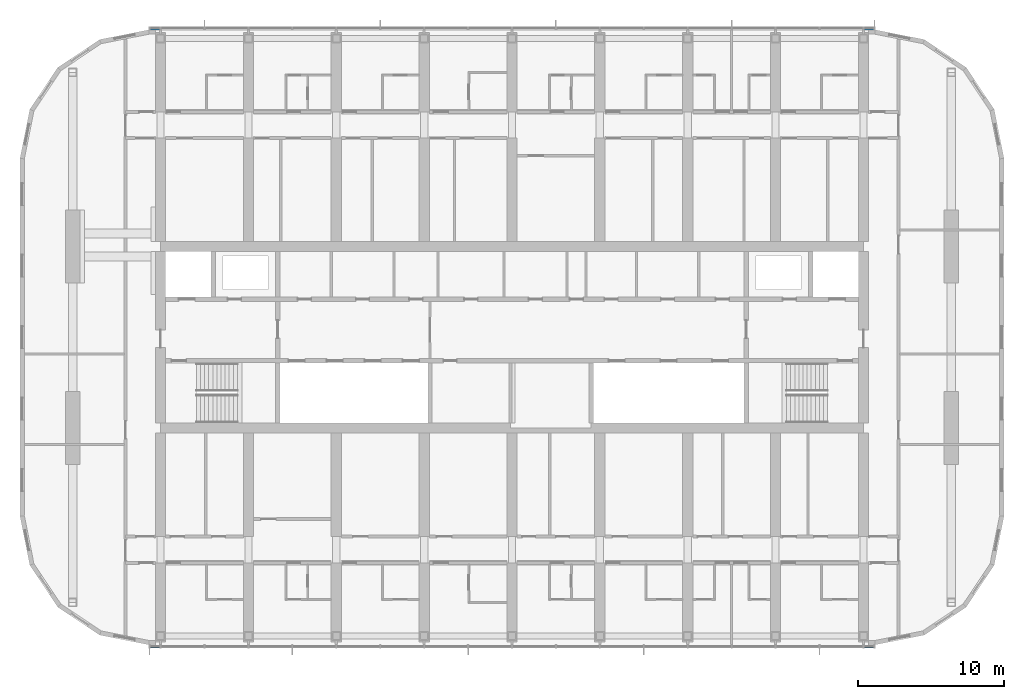
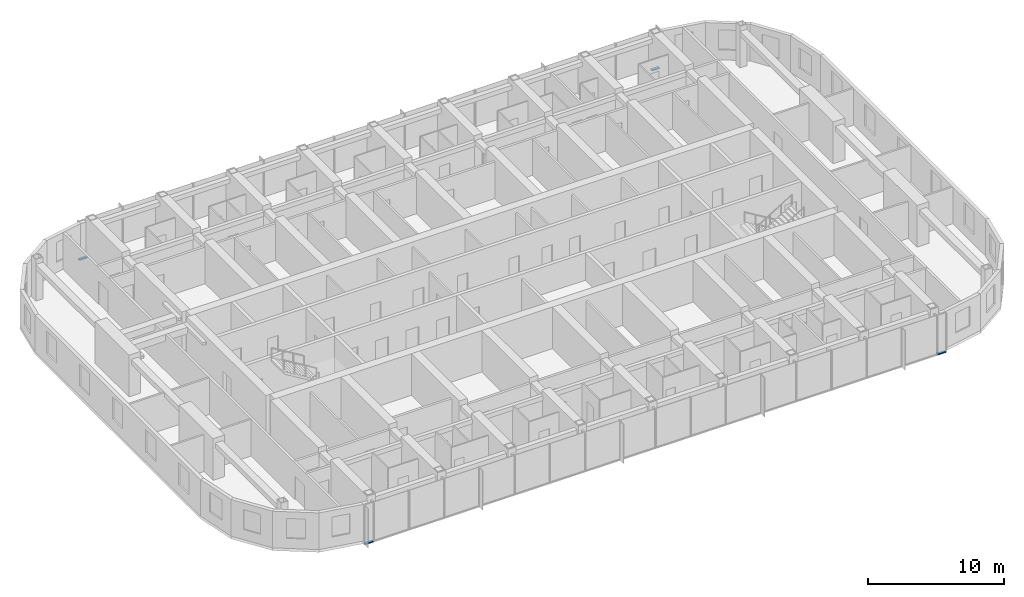
# One storey, part 6 of 23: 4 members, 2 elements without a shape of their own.
"""IFC4 building model written with IfcOpenShell, lengths in metres."""

from ifc_helpers import new_model, si_unit, direction, frame, origin, origin_2d, place, context, subcontext, project, spatial, rectangle, extrude, material, material_profile, profile_set, type_object, element, aggregate, save


model = new_model("IFC4")

# Units and contexts
model_context = context("Model", 3, precision=1e-05, world=origin(), true_north=direction((0.0, 1.0)))
body_context = subcontext(model_context, "Body", "Model", "MODEL_VIEW")
ifc_project = project(units=[si_unit("LENGTHUNIT", "METRE"), si_unit("AREAUNIT", "SQUARE_METRE"), si_unit("VOLUMEUNIT", "CUBIC_METRE"), si_unit("PLANEANGLEUNIT", "RADIAN"), si_unit("MASSUNIT", "GRAM", prefix="KILO")], contexts=[model_context])

# Site, building, storey
site_placement = place(None, origin())
site = spatial("IfcSite", under=ifc_project, at=site_placement, CompositionType="ELEMENT")
building_placement = place(site_placement, origin())
building = spatial("IfcBuilding", under=site, at=building_placement, Name="Orbita Commons", CompositionType="ELEMENT")
storey_placement = place(building_placement, frame((0.0, 0.0, 212.800048828125)))
storey = spatial("IfcBuildingStorey", under=building, at=storey_placement, Name="L52", CompositionType="ELEMENT", Elevation=212.800048828125)

# Curtain wall, members
ifc_material_1 = material(Name="Anodised aluminium frame, pale silver", Category="aluminium")
curtain_wall_type = type_object("IfcCurtainWallType", Name="Unitised curtain wall CW-U, full-height vision", PredefinedType="NOTDEFINED", material=ifc_material_1)
curtain_wall_1_placement = place(storey_placement, origin())
curtain_wall_1 = element("IfcCurtainWall", 1, at=curtain_wall_1_placement, inside=storey, type_object=curtain_wall_type, Name="Curtain wall south L52", PredefinedType="NOTDEFINED")
ifc_material_2 = material(Name="Anodised aluminium, pale silver", Category="aluminium")
ifc_material_profile = material_profile(ifc_material_2, rectangle(XDim=0.219970703125, YDim=0.10009765625, at=origin_2d()), Name="AL 220x100")
ifc_profile_set = profile_set([ifc_material_profile], Name="Anodised aluminium, pale silver")
member_type = type_object("IfcMemberType", Name="Curtain wall stack transom 220x100", PredefinedType="USERDEFINED", material=ifc_profile_set)
member_1_placement = place(storey_placement, frame((17.280029296875, 10.889892578125, -0.199951171875), z_axis=(1.0, 0.0, 0.0), x_axis=(0.0, 1.0, 0.0)))
member_1 = element("IfcMember", 2, at=member_1_placement, type_object=member_type, Name="Transom 1.1 CW-L52-S", ObjectType="TRANSOM", PredefinedType="USERDEFINED", context=body_context, shape_type="SweptSolid", body=[
    extrude(rectangle(XDim=0.219970703125, YDim=0.10009765625, at=origin_2d()), origin(), (0.0, 0.0, 1.0), 0.679931640625),
])
member_2_placement = place(storey_placement, frame((66.0400390625, 10.889892578125, -0.199951171875), z_axis=(1.0, 0.0, 0.0), x_axis=(0.0, 1.0, 0.0)))
member_2 = element("IfcMember", 3, at=member_2_placement, type_object=member_type, Name="Transom 18.1 CW-L52-S", ObjectType="TRANSOM", PredefinedType="USERDEFINED", context=body_context, shape_type="SweptSolid", body=[
    extrude(rectangle(XDim=0.219970703125, YDim=0.10009765625, at=origin_2d()), origin(), (0.0, 0.0, 1.0), 0.679931640625),
])
aggregate(curtain_wall_1, [member_1, member_2])

curtain_wall_2_placement = place(storey_placement, origin())
curtain_wall_2 = element("IfcCurtainWall", 4, at=curtain_wall_2_placement, inside=storey, type_object=curtain_wall_type, Name="Curtain wall north L52", PredefinedType="NOTDEFINED")
member_3_placement = place(storey_placement, frame((66.719970703125, 53.110107421875, -0.199951171875), z_axis=(-1.0, 0.0, 0.0), x_axis=(0.0, -1.0, 0.0)))
member_3 = element("IfcMember", 5, at=member_3_placement, type_object=member_type, Name="Transom 1.1 CW-L52-N", ObjectType="TRANSOM", PredefinedType="USERDEFINED", context=body_context, shape_type="SweptSolid", body=[
    extrude(rectangle(XDim=0.219970703125, YDim=0.10009765625, at=origin_2d()), origin(), (0.0, 0.0, 1.0), 0.679931640625),
])
member_4_placement = place(storey_placement, frame((17.9599609375, 53.110107421875, -0.199951171875), z_axis=(-1.0, 0.0, 0.0), x_axis=(0.0, -1.0, 0.0)))
member_4 = element("IfcMember", 6, at=member_4_placement, type_object=member_type, Name="Transom 18.1 CW-L52-N", ObjectType="TRANSOM", PredefinedType="USERDEFINED", context=body_context, shape_type="SweptSolid", body=[
    extrude(rectangle(XDim=0.219970703125, YDim=0.10009765625, at=origin_2d()), origin(), (0.0, 0.0, 1.0), 0.679931640625),
])
aggregate(curtain_wall_2, [member_3, member_4])

save(model, "model.ifc")
